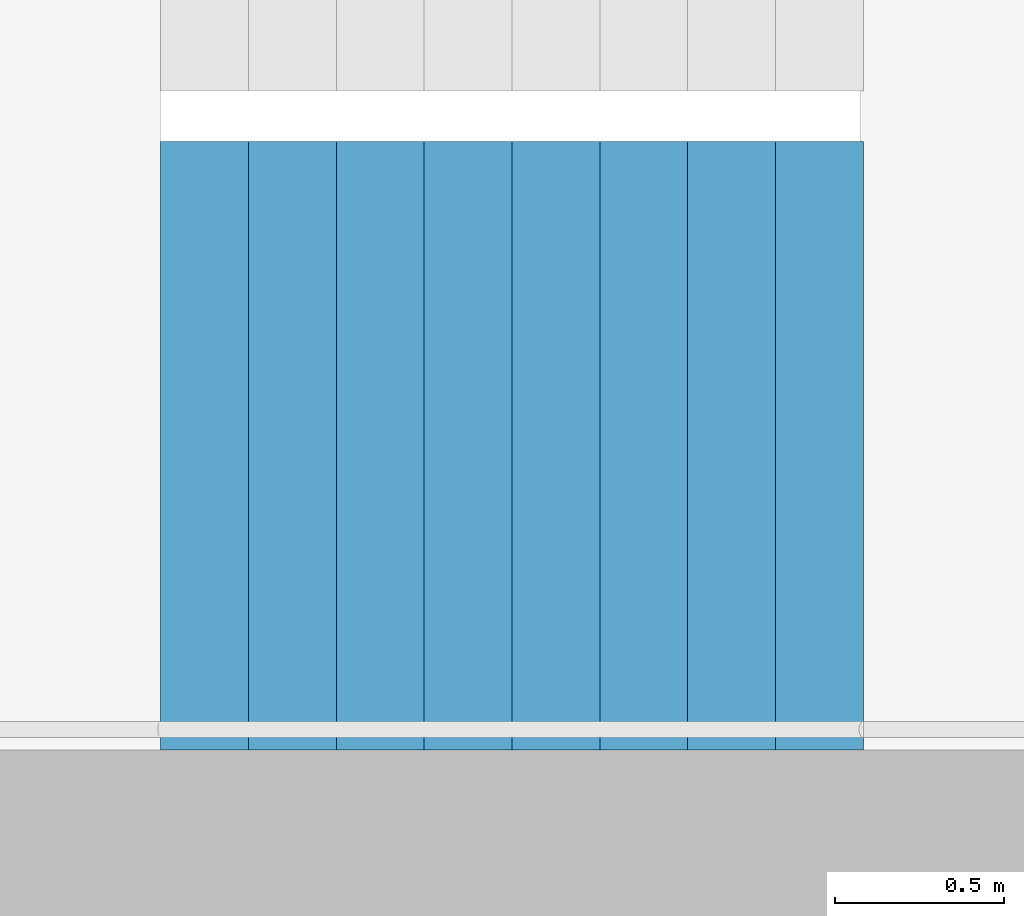
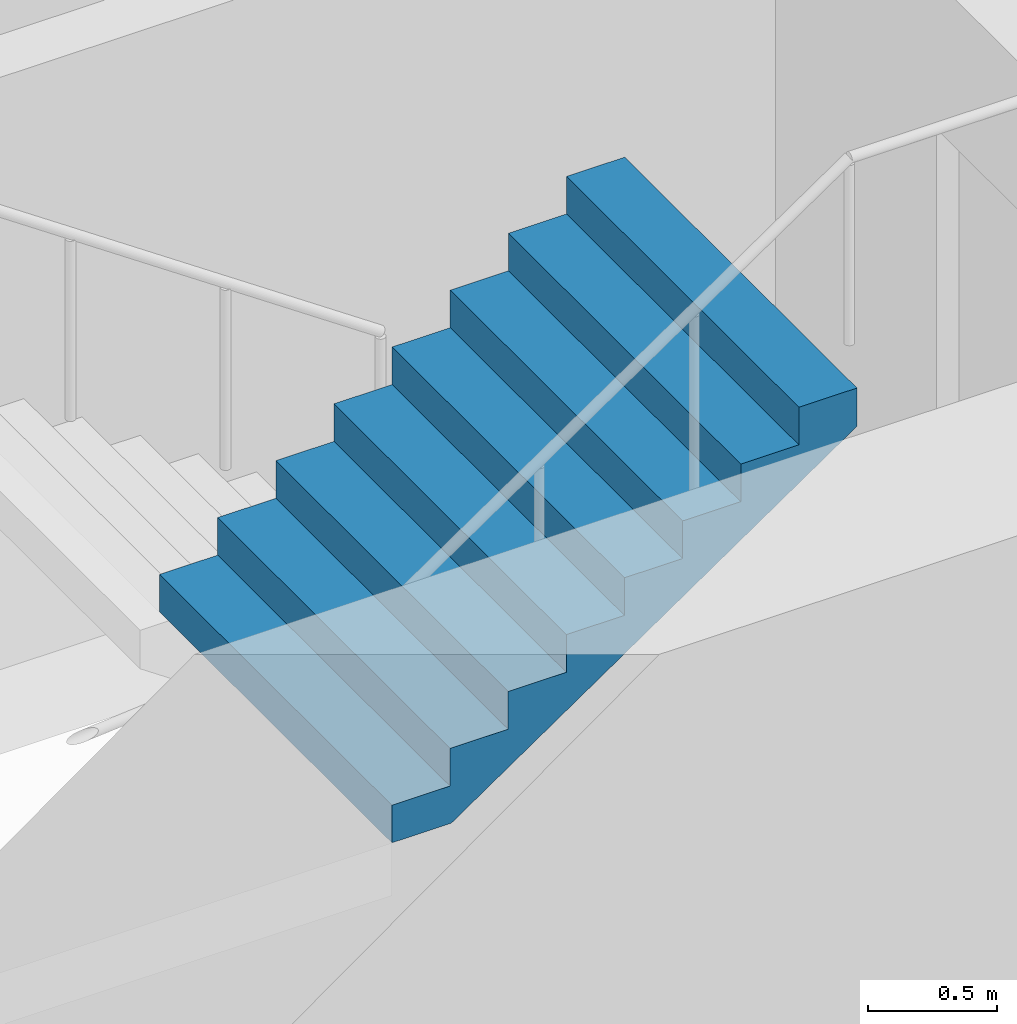
# One storey, part 21 of 29: 1 stair flight, 1 element without a shape of its own.
"""IFC4 building model written with IfcOpenShell, lengths in metres."""

from ifc_helpers import new_model, si_unit, direction, frame, origin, place, context, subcontext, project, spatial, triangles, material, type_object, element, aggregate, save


model = new_model("IFC4")

# Units and contexts
model_context = context("Model", 3, precision=1e-05, world=origin(), true_north=direction((0.0, 1.0)))
body_context = subcontext(model_context, "Body", "Model", "MODEL_VIEW")
ifc_project = project(units=[si_unit("LENGTHUNIT", "METRE"), si_unit("AREAUNIT", "SQUARE_METRE"), si_unit("VOLUMEUNIT", "CUBIC_METRE"), si_unit("PLANEANGLEUNIT", "RADIAN"), si_unit("MASSUNIT", "GRAM", prefix="KILO")], contexts=[model_context])

# Site, building, storey
site_placement = place(None, origin())
site = spatial("IfcSite", under=ifc_project, at=site_placement, CompositionType="ELEMENT")
building_placement = place(site_placement, origin())
building = spatial("IfcBuilding", under=site, at=building_placement, Name="Hakoniwa Tower and Hamabe Station Hall", CompositionType="ELEMENT")
storey_placement = place(building_placement, frame((0.0, 0.0, 85.0)))
storey = spatial("IfcBuildingStorey", under=building, at=storey_placement, Name="L23", CompositionType="ELEMENT", Elevation=85.0)

# Stair, stair flight
ifc_material_1 = material(Name="Concrete C40", Category="concrete")
stair_type = type_object("IfcStairType", Name="ESCAPE STAIR 1800", PredefinedType="HALF_TURN_STAIR", material=ifc_material_1)
stair_placement = place(storey_placement, origin())
stair = element("IfcStair", 1, at=stair_placement, inside=storey, type_object=stair_type, Name="Escape stair ST-2 L23", PredefinedType="HALF_TURN_STAIR")
ifc_material_2 = material(Name="Concrete C40", Category="concrete")
stair_flight_type = type_object("IfcStairFlightType", Name="STAIR FLIGHT 1800", PredefinedType="STRAIGHT", material=ifc_material_2)
stair_flight_placement = place(storey_placement, frame((-25.47998046875, -6.60009765625, 1.60009765625), z_axis=(0.0, 0.0, 1.0), x_axis=(1.0, 0.0, 0.0)))
stair_flight = element("IfcStairFlight", 2, at=stair_flight_placement, type_object=stair_flight_type, Name="ST-2 flight 2", NumberOfRisers=9, NumberOfTreads=8, PredefinedType="STRAIGHT", RiserHeight=0.177777778, TreadLength=0.26, context=body_context, shape_type="Tessellation", body=[
    triangles([(0.0, 0.89990234375, 0.0), (0.260009765625, 0.89990234375, 0.0), (0.265625, 0.89990234375, 0.0), (0.52001953125, 0.89990234375, 0.174072265625), (0.780029296875, 0.89990234375, 0.351806640625), (1.0400390625, 0.89990234375, 0.529541015625), (1.300048828125, 0.89990234375, 0.707275390625), (1.56005859375, 0.89990234375, 0.885009765625), (1.820068359375, 0.89990234375, 1.062744140625), (2.080078125, 0.89990234375, 1.24072265625), (2.080078125, 0.89990234375, 1.422119140625), (1.820068359375, 0.89990234375, 1.422119140625), (1.820068359375, 0.89990234375, 1.244384765625), (1.56005859375, 0.89990234375, 1.244384765625), (1.56005859375, 0.89990234375, 1.066650390625), (1.300048828125, 0.89990234375, 1.066650390625), (1.300048828125, 0.89990234375, 0.888916015625), (1.0400390625, 0.89990234375, 0.888916015625), (1.0400390625, 0.89990234375, 0.711181640625), (0.780029296875, 0.89990234375, 0.711181640625), (0.780029296875, 0.89990234375, 0.533447265625), (0.52001953125, 0.89990234375, 0.533447265625), (0.52001953125, 0.89990234375, 0.35546875), (0.265625, 0.89990234375, 0.35546875), (0.260009765625, 0.89990234375, 0.35546875), (0.260009765625, 0.89990234375, 0.177734375), (0.0, 0.89990234375, 0.177734375), (0.0, 0.06005859375, 0.0), (0.260009765625, 0.06005859375, 0.0), (0.265625, 0.06005859375, 0.0), (0.52001953125, 0.06005859375, 0.174072265625), (0.780029296875, 0.06005859375, 0.351806640625), (1.0400390625, 0.06005859375, 0.529541015625), (1.300048828125, 0.06005859375, 0.707275390625), (1.56005859375, 0.06005859375, 0.885009765625), (1.820068359375, 0.06005859375, 1.062744140625), (2.080078125, 0.06005859375, 1.24072265625), (2.080078125, 0.06005859375, 1.422119140625), (1.820068359375, 0.06005859375, 1.422119140625), (1.820068359375, 0.06005859375, 1.244384765625), (1.56005859375, 0.06005859375, 1.244384765625), (1.56005859375, 0.06005859375, 1.066650390625), (1.300048828125, 0.06005859375, 1.066650390625), (1.300048828125, 0.06005859375, 0.888916015625), (1.0400390625, 0.06005859375, 0.888916015625), (1.0400390625, 0.06005859375, 0.711181640625), (0.780029296875, 0.06005859375, 0.711181640625), (0.780029296875, 0.06005859375, 0.533447265625), (0.52001953125, 0.06005859375, 0.533447265625), (0.52001953125, 0.06005859375, 0.35546875), (0.265625, 0.06005859375, 0.35546875), (0.260009765625, 0.06005859375, 0.35546875), (0.260009765625, 0.06005859375, 0.177734375), (0.0, 0.06005859375, 0.177734375), (0.0, 0.04296875, 0.0), (0.260009765625, 0.04296875, 0.0), (0.265625, 0.04296875, 0.0), (0.52001953125, 0.04296875, 0.174072265625), (0.780029296875, 0.04296875, 0.351806640625), (1.0400390625, 0.04296875, 0.529541015625), (1.300048828125, 0.04296875, 0.707275390625), (1.56005859375, 0.04296875, 0.885009765625), (1.820068359375, 0.04296875, 1.062744140625), (2.080078125, 0.04296875, 1.24072265625), (2.080078125, 0.04296875, 1.422119140625), (1.820068359375, 0.04296875, 1.422119140625), (1.820068359375, 0.04296875, 1.244384765625), (1.56005859375, 0.04296875, 1.244384765625), (1.56005859375, 0.04296875, 1.066650390625), (1.300048828125, 0.04296875, 1.066650390625), (1.300048828125, 0.04296875, 0.888916015625), (1.0400390625, 0.04296875, 0.888916015625), (1.0400390625, 0.04296875, 0.711181640625), (0.780029296875, 0.04296875, 0.711181640625), (0.780029296875, 0.04296875, 0.533447265625), (0.52001953125, 0.04296875, 0.533447265625), (0.52001953125, 0.04296875, 0.35546875), (0.265625, 0.04296875, 0.35546875), (0.260009765625, 0.04296875, 0.35546875), (0.260009765625, 0.04296875, 0.177734375), (0.0, 0.04296875, 0.177734375), (0.0, 0.025634765625, 0.0), (0.260009765625, 0.025634765625, 0.0), (0.265625, 0.025634765625, 0.0), (0.52001953125, 0.025634765625, 0.174072265625), (0.780029296875, 0.025634765625, 0.351806640625), (1.0400390625, 0.025634765625, 0.529541015625), (1.300048828125, 0.025634765625, 0.707275390625), (1.56005859375, 0.025634765625, 0.885009765625), (1.820068359375, 0.025634765625, 1.062744140625), (2.080078125, 0.025634765625, 1.24072265625), (2.080078125, 0.025634765625, 1.422119140625), (1.820068359375, 0.025634765625, 1.422119140625), (1.820068359375, 0.025634765625, 1.244384765625), (1.56005859375, 0.025634765625, 1.244384765625), (1.56005859375, 0.025634765625, 1.066650390625), (1.300048828125, 0.025634765625, 1.066650390625), (1.300048828125, 0.025634765625, 0.888916015625), (1.0400390625, 0.025634765625, 0.888916015625), (1.0400390625, 0.025634765625, 0.711181640625), (0.780029296875, 0.025634765625, 0.711181640625), (0.780029296875, 0.025634765625, 0.533447265625), (0.52001953125, 0.025634765625, 0.533447265625), (0.52001953125, 0.025634765625, 0.35546875), (0.265625, 0.025634765625, 0.35546875), (0.260009765625, 0.025634765625, 0.35546875), (0.260009765625, 0.025634765625, 0.177734375), (0.0, 0.025634765625, 0.177734375), (0.0, 0.008544921875, 0.0), (0.260009765625, 0.008544921875, 0.0), (0.265625, 0.008544921875, 0.0), (0.52001953125, 0.008544921875, 0.174072265625), (0.780029296875, 0.008544921875, 0.351806640625), (1.0400390625, 0.008544921875, 0.529541015625), (1.300048828125, 0.008544921875, 0.707275390625), (1.56005859375, 0.008544921875, 0.885009765625), (1.820068359375, 0.008544921875, 1.062744140625), (2.080078125, 0.008544921875, 1.24072265625), (2.080078125, 0.008544921875, 1.422119140625), (1.820068359375, 0.008544921875, 1.422119140625), (1.820068359375, 0.008544921875, 1.244384765625), (1.56005859375, 0.008544921875, 1.244384765625), (1.56005859375, 0.008544921875, 1.066650390625), (1.300048828125, 0.008544921875, 1.066650390625), (1.300048828125, 0.008544921875, 0.888916015625), (1.0400390625, 0.008544921875, 0.888916015625), (1.0400390625, 0.008544921875, 0.711181640625), (0.780029296875, 0.008544921875, 0.711181640625), (0.780029296875, 0.008544921875, 0.533447265625), (0.52001953125, 0.008544921875, 0.533447265625), (0.52001953125, 0.008544921875, 0.35546875), (0.265625, 0.008544921875, 0.35546875), (0.260009765625, 0.008544921875, 0.35546875), (0.260009765625, 0.008544921875, 0.177734375), (0.0, 0.008544921875, 0.177734375), (0.0, -0.008544921875, 0.0), (0.260009765625, -0.008544921875, 0.0), (0.265625, -0.008544921875, 0.0), (0.52001953125, -0.008544921875, 0.174072265625), (0.780029296875, -0.008544921875, 0.351806640625), (1.0400390625, -0.008544921875, 0.529541015625), (1.300048828125, -0.008544921875, 0.707275390625), (1.56005859375, -0.008544921875, 0.885009765625), (1.820068359375, -0.008544921875, 1.062744140625), (2.080078125, -0.008544921875, 1.24072265625), (2.080078125, -0.008544921875, 1.422119140625), (1.820068359375, -0.008544921875, 1.422119140625), (1.820068359375, -0.008544921875, 1.244384765625), (1.56005859375, -0.008544921875, 1.244384765625), (1.56005859375, -0.008544921875, 1.066650390625), (1.300048828125, -0.008544921875, 1.066650390625), (1.300048828125, -0.008544921875, 0.888916015625), (1.0400390625, -0.008544921875, 0.888916015625), (1.0400390625, -0.008544921875, 0.711181640625), (0.780029296875, -0.008544921875, 0.711181640625), (0.780029296875, -0.008544921875, 0.533447265625), (0.52001953125, -0.008544921875, 0.533447265625), (0.52001953125, -0.008544921875, 0.35546875), (0.265625, -0.008544921875, 0.35546875), (0.260009765625, -0.008544921875, 0.35546875), (0.260009765625, -0.008544921875, 0.177734375), (0.0, -0.008544921875, 0.177734375), (0.0, -0.025634765625, 0.0), (0.260009765625, -0.025634765625, 0.0), (0.265625, -0.025634765625, 0.0), (0.52001953125, -0.025634765625, 0.174072265625), (0.780029296875, -0.025634765625, 0.351806640625), (1.0400390625, -0.025634765625, 0.529541015625), (1.300048828125, -0.025634765625, 0.707275390625), (1.56005859375, -0.025634765625, 0.885009765625), (1.820068359375, -0.025634765625, 1.062744140625), (2.080078125, -0.025634765625, 1.24072265625), (2.080078125, -0.025634765625, 1.422119140625), (1.820068359375, -0.025634765625, 1.422119140625), (1.820068359375, -0.025634765625, 1.244384765625), (1.56005859375, -0.025634765625, 1.244384765625), (1.56005859375, -0.025634765625, 1.066650390625), (1.300048828125, -0.025634765625, 1.066650390625), (1.300048828125, -0.025634765625, 0.888916015625), (1.0400390625, -0.025634765625, 0.888916015625), (1.0400390625, -0.025634765625, 0.711181640625), (0.780029296875, -0.025634765625, 0.711181640625), (0.780029296875, -0.025634765625, 0.533447265625), (0.52001953125, -0.025634765625, 0.533447265625), (0.52001953125, -0.025634765625, 0.35546875), (0.265625, -0.025634765625, 0.35546875), (0.260009765625, -0.025634765625, 0.35546875), (0.260009765625, -0.025634765625, 0.177734375), (0.0, -0.025634765625, 0.177734375), (0.0, -0.04296875, 0.0), (0.260009765625, -0.04296875, 0.0), (0.265625, -0.04296875, 0.0), (0.52001953125, -0.04296875, 0.174072265625), (0.780029296875, -0.04296875, 0.351806640625), (1.0400390625, -0.04296875, 0.529541015625), (1.300048828125, -0.04296875, 0.707275390625), (1.56005859375, -0.04296875, 0.885009765625), (1.820068359375, -0.04296875, 1.062744140625), (2.080078125, -0.04296875, 1.24072265625), (2.080078125, -0.04296875, 1.422119140625), (1.820068359375, -0.04296875, 1.422119140625), (1.820068359375, -0.04296875, 1.244384765625), (1.56005859375, -0.04296875, 1.244384765625), (1.56005859375, -0.04296875, 1.066650390625), (1.300048828125, -0.04296875, 1.066650390625), (1.300048828125, -0.04296875, 0.888916015625), (1.0400390625, -0.04296875, 0.888916015625), (1.0400390625, -0.04296875, 0.711181640625), (0.780029296875, -0.04296875, 0.711181640625), (0.780029296875, -0.04296875, 0.533447265625), (0.52001953125, -0.04296875, 0.533447265625), (0.52001953125, -0.04296875, 0.35546875), (0.265625, -0.04296875, 0.35546875), (0.260009765625, -0.04296875, 0.35546875), (0.260009765625, -0.04296875, 0.177734375), (0.0, -0.04296875, 0.177734375), (0.0, -0.06005859375, 0.0), (0.260009765625, -0.06005859375, 0.0), (0.265625, -0.06005859375, 0.0), (0.52001953125, -0.06005859375, 0.174072265625), (0.780029296875, -0.06005859375, 0.351806640625), (1.0400390625, -0.06005859375, 0.529541015625), (1.300048828125, -0.06005859375, 0.707275390625), (1.56005859375, -0.06005859375, 0.885009765625), (1.820068359375, -0.06005859375, 1.062744140625), (2.080078125, -0.06005859375, 1.24072265625), (2.080078125, -0.06005859375, 1.422119140625), (1.820068359375, -0.06005859375, 1.422119140625), (1.820068359375, -0.06005859375, 1.244384765625), (1.56005859375, -0.06005859375, 1.244384765625), (1.56005859375, -0.06005859375, 1.066650390625), (1.300048828125, -0.06005859375, 1.066650390625), (1.300048828125, -0.06005859375, 0.888916015625), (1.0400390625, -0.06005859375, 0.888916015625), (1.0400390625, -0.06005859375, 0.711181640625), (0.780029296875, -0.06005859375, 0.711181640625), (0.780029296875, -0.06005859375, 0.533447265625), (0.52001953125, -0.06005859375, 0.533447265625), (0.52001953125, -0.06005859375, 0.35546875), (0.265625, -0.06005859375, 0.35546875), (0.260009765625, -0.06005859375, 0.35546875), (0.260009765625, -0.06005859375, 0.177734375), (0.0, -0.06005859375, 0.177734375), (0.0, -0.89990234375, 0.0), (0.260009765625, -0.89990234375, 0.0), (0.265625, -0.89990234375, 0.0), (0.52001953125, -0.89990234375, 0.174072265625), (0.780029296875, -0.89990234375, 0.351806640625), (1.0400390625, -0.89990234375, 0.529541015625), (1.300048828125, -0.89990234375, 0.707275390625), (1.56005859375, -0.89990234375, 0.885009765625), (1.820068359375, -0.89990234375, 1.062744140625), (2.080078125, -0.89990234375, 1.24072265625), (2.080078125, -0.89990234375, 1.422119140625), (1.820068359375, -0.89990234375, 1.422119140625), (1.820068359375, -0.89990234375, 1.244384765625), (1.56005859375, -0.89990234375, 1.244384765625), (1.56005859375, -0.89990234375, 1.066650390625), (1.300048828125, -0.89990234375, 1.066650390625), (1.300048828125, -0.89990234375, 0.888916015625), (1.0400390625, -0.89990234375, 0.888916015625), (1.0400390625, -0.89990234375, 0.711181640625), (0.780029296875, -0.89990234375, 0.711181640625), (0.780029296875, -0.89990234375, 0.533447265625), (0.52001953125, -0.89990234375, 0.533447265625), (0.52001953125, -0.89990234375, 0.35546875), (0.265625, -0.89990234375, 0.35546875), (0.260009765625, -0.89990234375, 0.35546875), (0.260009765625, -0.89990234375, 0.177734375), (0.0, -0.89990234375, 0.177734375)], [[2, 27, 26], [245, 269, 270], [2, 1, 27], [245, 270, 244], [3, 25, 24], [246, 267, 268], [3, 26, 25], [246, 268, 269], [3, 2, 26], [246, 269, 245], [4, 24, 23], [247, 266, 267], [4, 3, 24], [247, 267, 246], [5, 22, 21], [248, 264, 265], [5, 23, 22], [248, 265, 266], [5, 4, 23], [248, 266, 247], [6, 20, 19], [249, 262, 263], [6, 21, 20], [249, 263, 264], [6, 5, 21], [249, 264, 248], [7, 18, 17], [250, 260, 261], [7, 19, 18], [250, 261, 262], [7, 6, 19], [250, 262, 249], [8, 16, 15], [251, 258, 259], [8, 17, 16], [251, 259, 260], [8, 7, 17], [251, 260, 250], [9, 14, 13], [252, 256, 257], [9, 15, 14], [252, 257, 258], [9, 8, 15], [252, 258, 251], [10, 12, 11], [253, 254, 255], [10, 13, 12], [253, 255, 256], [10, 9, 13], [253, 256, 252], [1, 2, 29], [1, 29, 28], [28, 29, 56], [28, 56, 55], [55, 56, 83], [55, 83, 82], [82, 83, 110], [82, 110, 109], [109, 110, 137], [109, 137, 136], [136, 137, 164], [136, 164, 163], [163, 164, 191], [163, 191, 190], [190, 191, 218], [190, 218, 217], [217, 218, 245], [217, 245, 244], [2, 3, 30], [2, 30, 29], [29, 30, 57], [29, 57, 56], [56, 57, 84], [56, 84, 83], [83, 84, 111], [83, 111, 110], [110, 111, 138], [110, 138, 137], [137, 138, 165], [137, 165, 164], [164, 165, 192], [164, 192, 191], [191, 192, 219], [191, 219, 218], [218, 219, 246], [218, 246, 245], [3, 4, 31], [3, 31, 30], [30, 31, 58], [30, 58, 57], [57, 58, 85], [57, 85, 84], [84, 85, 112], [84, 112, 111], [111, 112, 139], [111, 139, 138], [138, 139, 166], [138, 166, 165], [165, 166, 193], [165, 193, 192], [192, 193, 220], [192, 220, 219], [219, 220, 247], [219, 247, 246], [4, 5, 32], [4, 32, 31], [31, 32, 59], [31, 59, 58], [58, 59, 86], [58, 86, 85], [85, 86, 113], [85, 113, 112], [112, 113, 140], [112, 140, 139], [139, 140, 167], [139, 167, 166], [166, 167, 194], [166, 194, 193], [193, 194, 221], [193, 221, 220], [220, 221, 248], [220, 248, 247], [5, 6, 33], [5, 33, 32], [32, 33, 60], [32, 60, 59], [59, 60, 87], [59, 87, 86], [86, 87, 114], [86, 114, 113], [113, 114, 141], [113, 141, 140], [140, 141, 168], [140, 168, 167], [167, 168, 195], [167, 195, 194], [194, 195, 222], [194, 222, 221], [221, 222, 249], [221, 249, 248], [6, 7, 34], [6, 34, 33], [33, 34, 61], [33, 61, 60], [60, 61, 88], [60, 88, 87], [87, 88, 115], [87, 115, 114], [114, 115, 142], [114, 142, 141], [141, 142, 169], [141, 169, 168], [168, 169, 196], [168, 196, 195], [195, 196, 223], [195, 223, 222], [222, 223, 250], [222, 250, 249], [7, 8, 35], [7, 35, 34], [34, 35, 62], [34, 62, 61], [61, 62, 89], [61, 89, 88], [88, 89, 116], [88, 116, 115], [115, 116, 143], [115, 143, 142], [142, 143, 170], [142, 170, 169], [169, 170, 197], [169, 197, 196], [196, 197, 224], [196, 224, 223], [223, 224, 251], [223, 251, 250], [8, 9, 36], [8, 36, 35], [35, 36, 63], [35, 63, 62], [62, 63, 90], [62, 90, 89], [89, 90, 117], [89, 117, 116], [116, 117, 144], [116, 144, 143], [143, 144, 171], [143, 171, 170], [170, 171, 198], [170, 198, 197], [197, 198, 225], [197, 225, 224], [224, 225, 252], [224, 252, 251], [9, 10, 37], [9, 37, 36], [36, 37, 64], [36, 64, 63], [63, 64, 91], [63, 91, 90], [90, 91, 118], [90, 118, 117], [117, 118, 145], [117, 145, 144], [144, 145, 172], [144, 172, 171], [171, 172, 199], [171, 199, 198], [198, 199, 226], [198, 226, 225], [225, 226, 253], [225, 253, 252], [10, 11, 38], [10, 38, 37], [37, 38, 65], [37, 65, 64], [64, 65, 92], [64, 92, 91], [91, 92, 119], [91, 119, 118], [118, 119, 146], [118, 146, 145], [145, 146, 173], [145, 173, 172], [172, 173, 200], [172, 200, 199], [199, 200, 227], [199, 227, 226], [226, 227, 254], [226, 254, 253], [11, 12, 39], [11, 39, 38], [38, 39, 66], [38, 66, 65], [65, 66, 93], [65, 93, 92], [92, 93, 120], [92, 120, 119], [119, 120, 147], [119, 147, 146], [146, 147, 174], [146, 174, 173], [173, 174, 201], [173, 201, 200], [200, 201, 228], [200, 228, 227], [227, 228, 255], [227, 255, 254], [12, 13, 40], [12, 40, 39], [39, 40, 67], [39, 67, 66], [66, 67, 94], [66, 94, 93], [93, 94, 121], [93, 121, 120], [120, 121, 148], [120, 148, 147], [147, 148, 175], [147, 175, 174], [174, 175, 202], [174, 202, 201], [201, 202, 229], [201, 229, 228], [228, 229, 256], [228, 256, 255], [13, 14, 41], [13, 41, 40], [40, 41, 68], [40, 68, 67], [67, 68, 95], [67, 95, 94], [94, 95, 122], [94, 122, 121], [121, 122, 149], [121, 149, 148], [148, 149, 176], [148, 176, 175], [175, 176, 203], [175, 203, 202], [202, 203, 230], [202, 230, 229], [229, 230, 257], [229, 257, 256], [14, 15, 42], [14, 42, 41], [41, 42, 69], [41, 69, 68], [68, 69, 96], [68, 96, 95], [95, 96, 123], [95, 123, 122], [122, 123, 150], [122, 150, 149], [149, 150, 177], [149, 177, 176], [176, 177, 204], [176, 204, 203], [203, 204, 231], [203, 231, 230], [230, 231, 258], [230, 258, 257], [15, 16, 43], [15, 43, 42], [42, 43, 70], [42, 70, 69], [69, 70, 97], [69, 97, 96], [96, 97, 124], [96, 124, 123], [123, 124, 151], [123, 151, 150], [150, 151, 178], [150, 178, 177], [177, 178, 205], [177, 205, 204], [204, 205, 232], [204, 232, 231], [231, 232, 259], [231, 259, 258], [16, 17, 44], [16, 44, 43], [43, 44, 71], [43, 71, 70], [70, 71, 98], [70, 98, 97], [97, 98, 125], [97, 125, 124], [124, 125, 152], [124, 152, 151], [151, 152, 179], [151, 179, 178], [178, 179, 206], [178, 206, 205], [205, 206, 233], [205, 233, 232], [232, 233, 260], [232, 260, 259], [17, 18, 45], [17, 45, 44], [44, 45, 72], [44, 72, 71], [71, 72, 99], [71, 99, 98], [98, 99, 126], [98, 126, 125], [125, 126, 153], [125, 153, 152], [152, 153, 180], [152, 180, 179], [179, 180, 207], [179, 207, 206], [206, 207, 234], [206, 234, 233], [233, 234, 261], [233, 261, 260], [18, 19, 46], [18, 46, 45], [45, 46, 73], [45, 73, 72], [72, 73, 100], [72, 100, 99], [99, 100, 127], [99, 127, 126], [126, 127, 154], [126, 154, 153], [153, 154, 181], [153, 181, 180], [180, 181, 208], [180, 208, 207], [207, 208, 235], [207, 235, 234], [234, 235, 262], [234, 262, 261], [19, 20, 47], [19, 47, 46], [46, 47, 74], [46, 74, 73], [73, 74, 101], [73, 101, 100], [100, 101, 128], [100, 128, 127], [127, 128, 155], [127, 155, 154], [154, 155, 182], [154, 182, 181], [181, 182, 209], [181, 209, 208], [208, 209, 236], [208, 236, 235], [235, 236, 263], [235, 263, 262], [20, 21, 48], [20, 48, 47], [47, 48, 75], [47, 75, 74], [74, 75, 102], [74, 102, 101], [101, 102, 129], [101, 129, 128], [128, 129, 156], [128, 156, 155], [155, 156, 183], [155, 183, 182], [182, 183, 210], [182, 210, 209], [209, 210, 237], [209, 237, 236], [236, 237, 264], [236, 264, 263], [21, 22, 49], [21, 49, 48], [48, 49, 76], [48, 76, 75], [75, 76, 103], [75, 103, 102], [102, 103, 130], [102, 130, 129], [129, 130, 157], [129, 157, 156], [156, 157, 184], [156, 184, 183], [183, 184, 211], [183, 211, 210], [210, 211, 238], [210, 238, 237], [237, 238, 265], [237, 265, 264], [22, 23, 50], [22, 50, 49], [49, 50, 77], [49, 77, 76], [76, 77, 104], [76, 104, 103], [103, 104, 131], [103, 131, 130], [130, 131, 158], [130, 158, 157], [157, 158, 185], [157, 185, 184], [184, 185, 212], [184, 212, 211], [211, 212, 239], [211, 239, 238], [238, 239, 266], [238, 266, 265], [23, 24, 51], [23, 51, 50], [50, 51, 78], [50, 78, 77], [77, 78, 105], [77, 105, 104], [104, 105, 132], [104, 132, 131], [131, 132, 159], [131, 159, 158], [158, 159, 186], [158, 186, 185], [185, 186, 213], [185, 213, 212], [212, 213, 240], [212, 240, 239], [239, 240, 267], [239, 267, 266], [24, 25, 52], [24, 52, 51], [51, 52, 79], [51, 79, 78], [78, 79, 106], [78, 106, 105], [105, 106, 133], [105, 133, 132], [132, 133, 160], [132, 160, 159], [159, 160, 187], [159, 187, 186], [186, 187, 214], [186, 214, 213], [213, 214, 241], [213, 241, 240], [240, 241, 268], [240, 268, 267], [25, 26, 53], [25, 53, 52], [52, 53, 80], [52, 80, 79], [79, 80, 107], [79, 107, 106], [106, 107, 134], [106, 134, 133], [133, 134, 161], [133, 161, 160], [160, 161, 188], [160, 188, 187], [187, 188, 215], [187, 215, 214], [214, 215, 242], [214, 242, 241], [241, 242, 269], [241, 269, 268], [26, 27, 54], [26, 54, 53], [53, 54, 81], [53, 81, 80], [80, 81, 108], [80, 108, 107], [107, 108, 135], [107, 135, 134], [134, 135, 162], [134, 162, 161], [161, 162, 189], [161, 189, 188], [188, 189, 216], [188, 216, 215], [215, 216, 243], [215, 243, 242], [242, 243, 270], [242, 270, 269], [27, 1, 28], [27, 28, 54], [54, 28, 55], [54, 55, 81], [81, 55, 82], [81, 82, 108], [108, 82, 109], [108, 109, 135], [135, 109, 136], [135, 136, 162], [162, 136, 163], [162, 163, 189], [189, 163, 190], [189, 190, 216], [216, 190, 217], [216, 217, 243], [243, 217, 244], [243, 244, 270]], closed=True),
])
aggregate(stair, [stair_flight])

save(model, "model.ifc")
